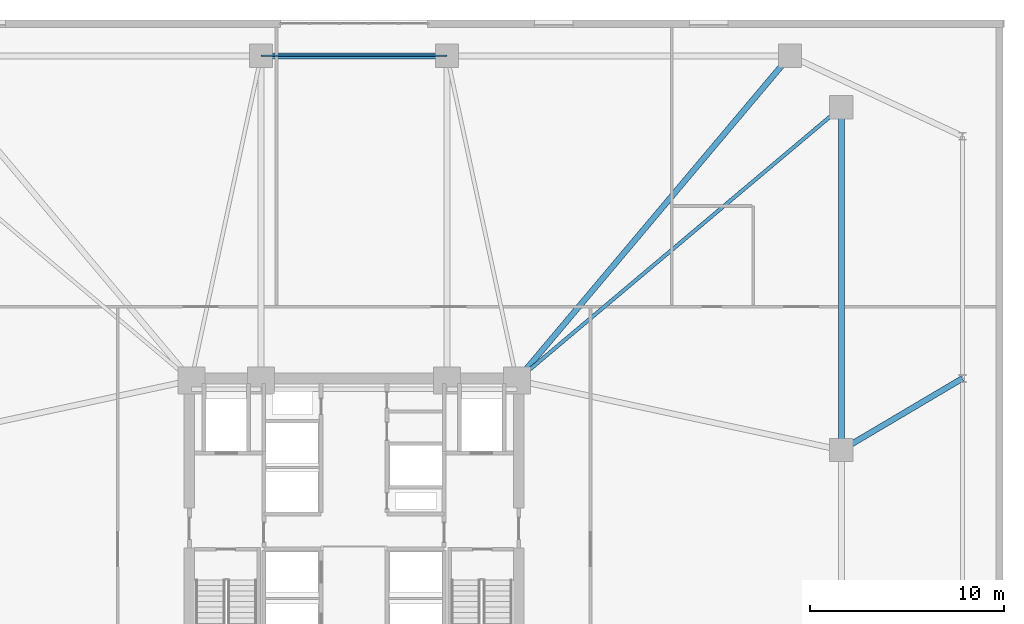
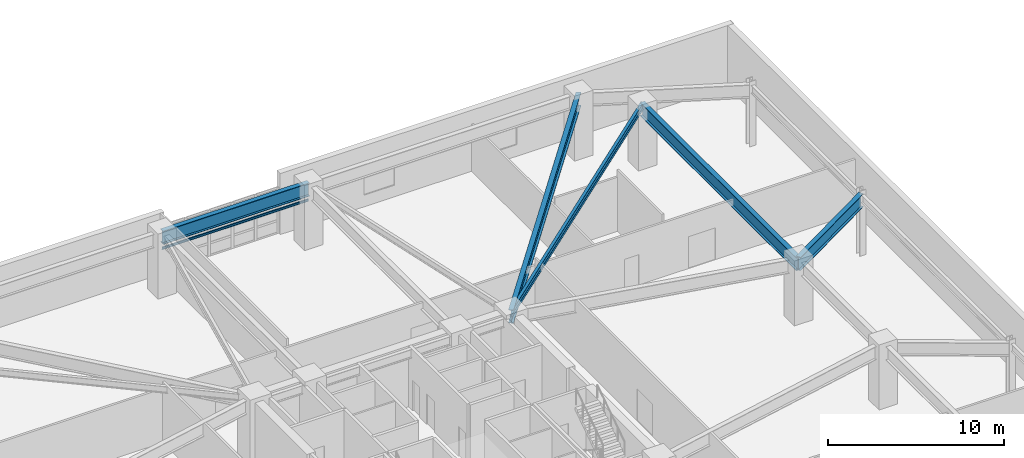
# One storey, part 8 of 21: 6 beams.
"""IFC4 building model written with IfcOpenShell, lengths in metres."""

from ifc_helpers import new_model, si_unit, direction, frame, origin, origin_2d, place, context, subcontext, project, spatial, i_section, extrude, material, material_profile, profile_set, type_object, element, save


model = new_model("IFC4")

# Units and contexts
model_context = context("Model", 3, precision=1e-05, world=origin(), true_north=direction((0.0, 1.0)))
body_context = subcontext(model_context, "Body", "Model", "MODEL_VIEW")
ifc_project = project(units=[si_unit("LENGTHUNIT", "METRE"), si_unit("AREAUNIT", "SQUARE_METRE"), si_unit("VOLUMEUNIT", "CUBIC_METRE"), si_unit("PLANEANGLEUNIT", "RADIAN"), si_unit("MASSUNIT", "GRAM", prefix="KILO")], contexts=[model_context])

# Site, building, storey
site_placement = place(None, origin())
site = spatial("IfcSite", under=ifc_project, at=site_placement, CompositionType="ELEMENT")
building_placement = place(site_placement, origin())
building = spatial("IfcBuilding", under=site, at=building_placement, Name="Cairnveth Concourse Tower", CompositionType="ELEMENT")
storey_placement = place(building_placement, frame((0.0, 0.0, 10.0)))
storey = spatial("IfcBuildingStorey", under=building, at=storey_placement, Name="L02", CompositionType="ELEMENT", Elevation=10.0)

# Beams
ifc_material = material(Name="Steel Grade 350", Category="steel")
ifc_material_profile_1 = material_profile(ifc_material, i_section(OverallWidth=0.18994140625, OverallDepth=0.45703125, WebThickness=0.009033203125, FlangeThickness=0.014404296875, FilletRadius=0.010986328125, at=origin_2d()), Name="460UB74.6")
ifc_profile_set_1 = profile_set([ifc_material_profile_1], Name="Steel Grade 350")
beam_type_1 = type_object("IfcBeamType", Name="PODIUM FLOOR JOIST 460UB74.6", PredefinedType="JOIST", material=ifc_profile_set_1)
beam_1_placement = place(storey_placement, frame((77.14990234375, 61.5, 3.991455078125), z_axis=(-0.765027427674, -0.643997697905, 0.0), x_axis=(0.643997697905, -0.765027427674, 0.0)))
element("IfcBeam", 1, at=beam_1_placement, inside=storey, type_object=beam_type_1, Name="Beam PJ-NE1 L02", PredefinedType="JOIST", context=body_context, shape_type="SweptSolid", body=[
    extrude(i_section(OverallWidth=0.18994140625, OverallDepth=0.45703125, WebThickness=0.009033203125, FlangeThickness=0.014404296875, FilletRadius=0.010986328125, at=origin_2d()), origin(), (0.0, 0.0, 1.0), 21.89453125),
])
ifc_material_profile_2 = material_profile(ifc_material, i_section(OverallWidth=0.300048828125, OverallDepth=0.924072265625, WebThickness=0.013916015625, FlangeThickness=0.031982421875, at=origin_2d()), Name="900WB257")
ifc_profile_set_2 = profile_set([ifc_material_profile_2], Name="Steel Grade 350")
beam_type_2 = type_object("IfcBeamType", Name="PODIUM PRIMARY GIRDER 900WB257", PredefinedType="BEAM", material=ifc_profile_set_2)
beam_2_placement = place(storey_placement, frame((77.14990234375, 43.800048828125, 3.758056640625), z_axis=(0.860518044459, 0.509419959523, 0.0), x_axis=(-0.509419959523, 0.860518044459, 0.0)))
element("IfcBeam", 2, at=beam_2_placement, inside=storey, type_object=beam_type_2, Name="Beam PG-E2B L02", PredefinedType="BEAM", context=body_context, shape_type="SweptSolid", body=[
    extrude(i_section(OverallWidth=0.300048828125, OverallDepth=0.924072265625, WebThickness=0.013916015625, FlangeThickness=0.031982421875, at=origin_2d()), origin(), (0.0, 0.0, 1.0), 7.26318359375),
])
beam_3_placement = place(storey_placement, frame((74.5, 64.14990234375, 3.758056640625), z_axis=(-0.643997697905, -0.765027427674, 0.0), x_axis=(0.765027427674, -0.643997697905, 0.0)))
element("IfcBeam", 3, at=beam_3_placement, inside=storey, type_object=beam_type_2, Name="Beam PG-CNE L02", PredefinedType="BEAM", context=body_context, shape_type="SweptSolid", body=[
    extrude(i_section(OverallWidth=0.300048828125, OverallDepth=0.924072265625, WebThickness=0.013916015625, FlangeThickness=0.031982421875, at=origin_2d()), origin(), (0.0, 0.0, 1.0), 21.89453125),
])
beam_4_placement = place(storey_placement, frame((47.199951171875, 64.14990234375, 3.758056640625), z_axis=(1.0, 0.0, 0.0), x_axis=(0.0, 1.0, 0.0)))
element("IfcBeam", 4, at=beam_4_placement, inside=storey, type_object=beam_type_2, Name="Beam PR-N2 L02", PredefinedType="BEAM", context=body_context, shape_type="SweptSolid", body=[
    extrude(i_section(OverallWidth=0.300048828125, OverallDepth=0.924072265625, WebThickness=0.013916015625, FlangeThickness=0.031982421875, at=origin_2d()), origin(), (0.0, 0.0, 1.0), 9.60009765625),
])
beam_5_placement = place(storey_placement, frame((77.14990234375, 43.800048828125, 3.758056640625), z_axis=(0.0, 1.0, 0.0), x_axis=(-1.0, 0.0, 0.0)))
element("IfcBeam", 5, at=beam_5_placement, inside=storey, type_object=beam_type_2, Name="Beam PR-E3 L02", PredefinedType="BEAM", context=body_context, shape_type="SweptSolid", body=[
    extrude(i_section(OverallWidth=0.300048828125, OverallDepth=0.924072265625, WebThickness=0.013916015625, FlangeThickness=0.031982421875, at=origin_2d()), origin(), (0.0, 0.0, 1.0), 17.699951171875),
])
ifc_material_profile_3 = material_profile(ifc_material, i_section(OverallWidth=0.074951171875, OverallDepth=0.155029296875, WebThickness=0.006103515625, FlangeThickness=0.009521484375, FilletRadius=0.008056640625, at=origin_2d()), Name="150UB18.0")
ifc_profile_set_3 = profile_set([ifc_material_profile_3], Name="Steel Grade 350")
beam_type_3 = type_object("IfcBeamType", Name="STEEL OPENING LINTEL 150UB18.0", PredefinedType="LINTEL", material=ifc_profile_set_3)
beam_6_placement = place(storey_placement, frame((47.199951171875, 64.14990234375, 2.949951171875), z_axis=(1.0, 0.0, 0.0), x_axis=(0.0, 1.0, 0.0)))
element("IfcBeam", 6, at=beam_6_placement, inside=storey, type_object=beam_type_3, Name="Concourse Portal Lintel 2 L02", PredefinedType="LINTEL", context=body_context, shape_type="SweptSolid", body=[
    extrude(i_section(OverallWidth=0.074951171875, OverallDepth=0.155029296875, WebThickness=0.006103515625, FlangeThickness=0.009521484375, FilletRadius=0.008056640625, at=origin_2d()), origin(), (0.0, 0.0, 1.0), 9.60009765625),
])

save(model, "model.ifc")
